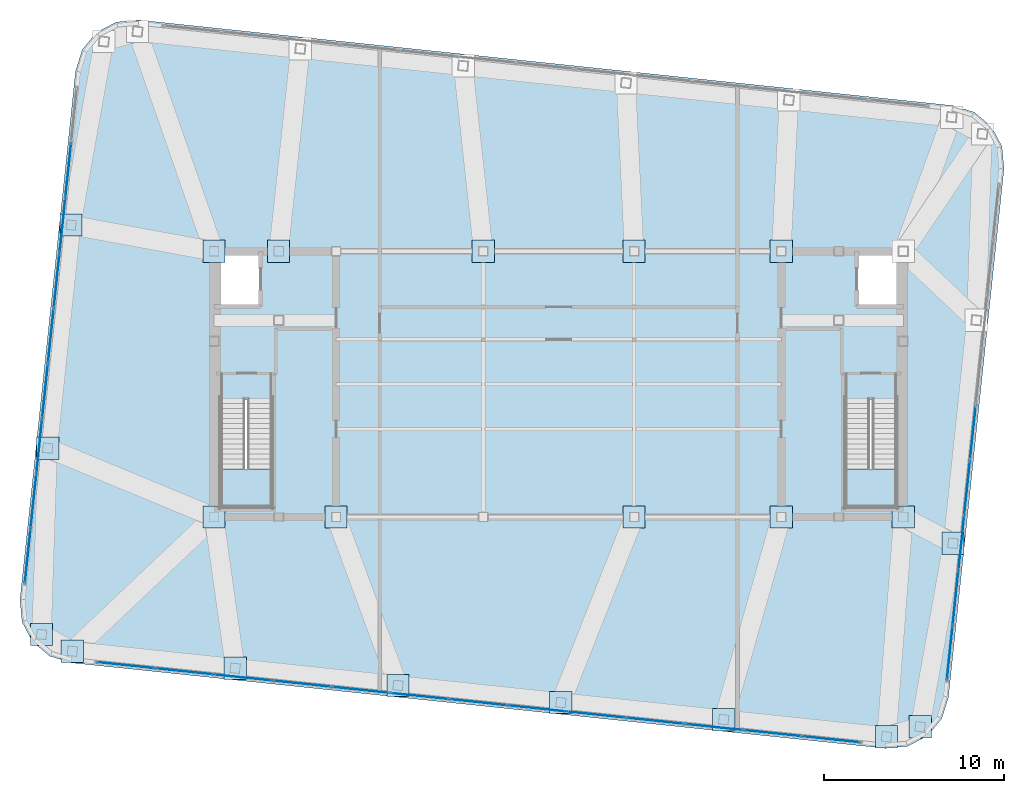
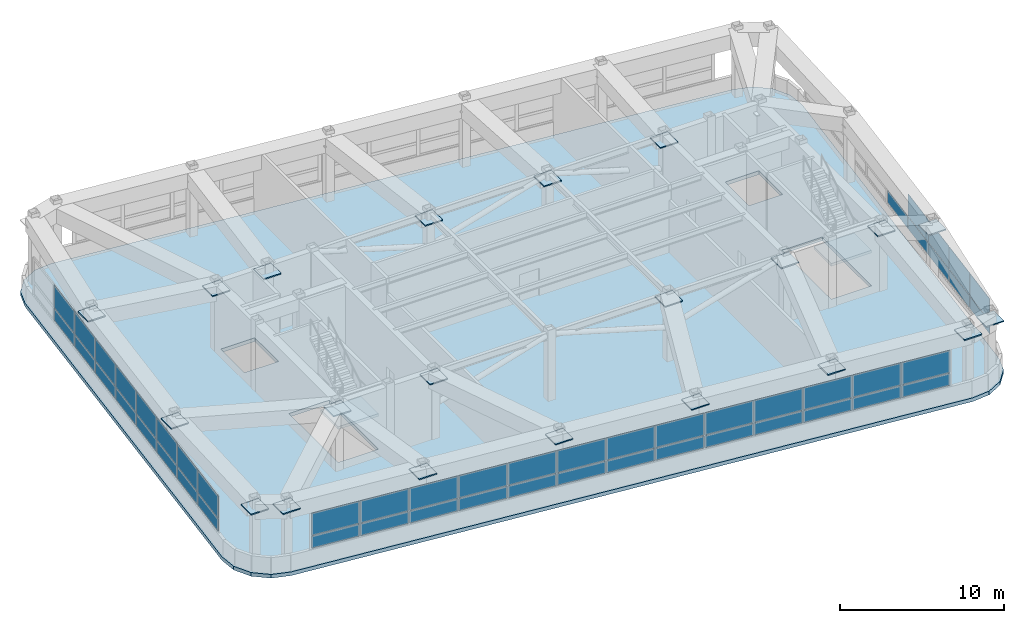
# One storey, part 18 of 23: 72 plates, 3 slabs, 5 elements without a shape of their own.
"""IFC4 building model written with IfcOpenShell, lengths in metres."""

from ifc_helpers import new_model, si_unit, direction, frame, origin, origin_2d, place, context, subcontext, project, spatial, polyline, rectangle, outline, extrude, material, layer, layer_set, type_object, element, aggregate, save


model = new_model("IFC4")

# Units and contexts
model_context = context("Model", 3, precision=1e-05, world=origin(), true_north=direction((0.0, 1.0)))
body_context = subcontext(model_context, "Body", "Model", "MODEL_VIEW")
ifc_project = project(units=[si_unit("LENGTHUNIT", "METRE"), si_unit("AREAUNIT", "SQUARE_METRE"), si_unit("VOLUMEUNIT", "CUBIC_METRE"), si_unit("PLANEANGLEUNIT", "RADIAN"), si_unit("MASSUNIT", "GRAM", prefix="KILO")], contexts=[model_context])

# Site, building, storey
site_placement = place(None, origin())
site = spatial("IfcSite", under=ifc_project, at=site_placement, CompositionType="ELEMENT")
building_placement = place(site_placement, origin())
building = spatial("IfcBuilding", under=site, at=building_placement, Name="Voryun Gate Residences", CompositionType="ELEMENT")
storey_placement = place(building_placement, frame((0.0, 0.0, 316.0)))
storey = spatial("IfcBuildingStorey", under=building, at=storey_placement, Name="L78", CompositionType="ELEMENT", Elevation=316.0)

# Plates
ifc_material_1 = material(Name="Steel SM355", Category="steel")
ifc_layer_1 = layer(ifc_material_1, 0.02490234375, Name="PLT_END_CAP_25")
ifc_layer_set_1 = layer_set([ifc_layer_1], Name="Steel SM355")
plate_type_1 = type_object("IfcPlateType", Name="PLT_END_CAP_25", PredefinedType="USERDEFINED", material=ifc_layer_set_1)
for number, where, z_axis, x_axis, name in (
    (1, (-27.088623046875, -14.87158203125, 4.43505859375), (0.0, 0.0, 1.0), (1.0, 0.0, 0.0), "L78 Hollow Member End-Cap Plate EC-952"),
    (2, (-18.0185546875, -15.824951171875, 4.43505859375), (0.0, 0.0, 1.0), (1.0, 0.0, 0.0), "L78 Hollow Member End-Cap Plate EC-953"),
    (3, (-8.948486328125, -16.7783203125, 4.43505859375), (0.0, 0.0, 1.0), (1.0, 0.0, 0.0), "L78 Hollow Member End-Cap Plate EC-954"),
    (4, (0.12158203125, -17.731689453125, 4.43505859375), (0.0, 0.0, 1.0), (1.0, 0.0, 0.0), "L78 Hollow Member End-Cap Plate EC-955"),
    (5, (9.19140625, -18.684814453125, 4.43505859375), (0.0, 0.0, 1.0), (1.0, 0.0, 0.0), "L78 Hollow Member End-Cap Plate EC-956"),
    (6, (18.261474609375, -19.63818359375, 4.43505859375), (0.0, 0.0, 1.0), (1.0, 0.0, 0.0), "L78 Hollow Member End-Cap Plate EC-957"),
    (7, (20.1328125, -19.083984375, 4.43505859375), (0.0, 0.0, 1.0), (1.0, 0.0, 0.0), "L78 Hollow Member End-Cap Plate EC-958"),
    (8, (21.958251953125, -8.861572265625, 4.43505859375), (0.0, 0.0, 1.0), (1.0, 0.0, 0.0), "L78 Hollow Member End-Cap Plate EC-959"),
    (9, (-27.158203125, 8.861572265625, 4.43505859375), (0.0, 0.0, 1.0), (1.0, 0.0, 0.0), "L78 Hollow Member End-Cap Plate EC-969"),
    (10, (-28.464111328125, -3.56201171875, 4.43505859375), (0.0, 0.0, 1.0), (1.0, 0.0, 0.0), "L78 Hollow Member End-Cap Plate EC-970"),
    (11, (-28.8037109375, -13.9404296875, 4.43505859375), (0.0, 0.0, 1.0), (1.0, 0.0, 0.0), "L78 Hollow Member End-Cap Plate EC-971"),
    (12, (-19.199951171875, -7.39990234375, 4.43505859375), (0.0, 0.0, 1.0), (1.0, 0.0, 0.0), "L78 Hollow Member End-Cap Plate EC-972"),
    (13, (-12.39990234375, -7.39990234375, 4.43505859375), (0.0, 0.0, 1.0), (1.0, 0.0, 0.0), "L78 Hollow Member End-Cap Plate EC-973"),
    (14, (4.199951171875, -7.39990234375, 4.43505859375), (0.0, 0.0, 1.0), (1.0, 0.0, 0.0), "L78 Hollow Member End-Cap Plate EC-974"),
    (15, (12.39990234375, -7.39990234375, 4.43505859375), (0.0, 0.0, 1.0), (1.0, 0.0, 0.0), "L78 Hollow Member End-Cap Plate EC-975"),
    (16, (19.199951171875, -7.39990234375, 4.43505859375), (0.0, 0.0, 1.0), (1.0, 0.0, 0.0), "L78 Hollow Member End-Cap Plate EC-976"),
    (17, (12.39990234375, 7.39990234375, 4.43505859375), (0.0, 0.0, 1.0), (1.0, 0.0, 0.0), "L78 Hollow Member End-Cap Plate EC-978"),
    (18, (4.199951171875, 7.39990234375, 4.43505859375), (0.0, 0.0, 1.0), (1.0, 0.0, 0.0), "L78 Hollow Member End-Cap Plate EC-979"),
    (19, (-4.199951171875, 7.39990234375, 4.43505859375), (0.0, 0.0, 1.0), (1.0, 0.0, 0.0), "L78 Hollow Member End-Cap Plate EC-980"),
    (20, (-15.60009765625, 7.39990234375, 4.43505859375), (0.0, 0.0, 1.0), (1.0, 0.0, 0.0), "L78 Hollow Member End-Cap Plate EC-981"),
    (21, (-19.199951171875, 7.39990234375, 4.43505859375), (0.0, 0.0, 1.0), (1.0, 0.0, 0.0), "L78 Hollow Member End-Cap Plate EC-982"),
):
    element("IfcPlate", number, at=place(storey_placement, frame(where, z_axis=z_axis, x_axis=x_axis)), inside=storey, type_object=plate_type_1, Name=name, ObjectType="BASE_PLATE", PredefinedType="USERDEFINED", context=body_context, shape_type="SweptSolid", body=[
        extrude(rectangle(XDim=1.239990234375, YDim=1.239990234375, at=origin_2d()), origin(), (0.0, 0.0, 1.0), 0.080078125),
    ])

# Curtain wall, plates
ifc_material_2 = material(Name="Anodised aluminium", Category="aluminium")
ifc_layer_2 = layer(ifc_material_2, 0.22998046875, Name="CW_SYS_LANTERN_DARK_GLASS")
ifc_layer_set_2 = layer_set([ifc_layer_2], Name="Anodised aluminium")
curtain_wall_type = type_object("IfcCurtainWallType", Name="CW_SYS_LANTERN_DARK_GLASS", PredefinedType="NOTDEFINED", material=ifc_layer_set_2)
curtain_wall_1_placement = place(storey_placement, origin())
curtain_wall_1 = element("IfcCurtainWall", 22, at=curtain_wall_1_placement, inside=storey, type_object=curtain_wall_type, Name="Curtain wall CW6-L78-01", PredefinedType="NOTDEFINED")
ifc_material_3 = material(Name="Fritted lantern glass", Category="glass")
ifc_layer_3 = layer(ifc_material_3, 0.050048828125, Name="PLT_GLASS_FRIT_LANTERN")
ifc_layer_set_3 = layer_set([ifc_layer_3], Name="Fritted lantern glass")
plate_type_2 = type_object("IfcPlateType", Name="PLT_GLASS_FRIT_LANTERN", PredefinedType="CURTAIN_PANEL", material=ifc_layer_set_3)
plate_1_placement = place(storey_placement, frame((15.18212890625, -19.787109375, 1.25), z_axis=(0.0, 0.0, 1.0), x_axis=(-0.994521969434, 0.10452775858, 0.0)))
plate_1 = element("IfcPlate", 23, at=plate_1_placement, type_object=plate_type_2, Name="CW6 panel 1.1", PredefinedType="CURTAIN_PANEL", context=body_context, shape_type="SweptSolid", body=[
    extrude(rectangle(XDim=3.20458984375, YDim=0.028076171875, at=origin_2d()), origin(), (0.0, 0.0, 1.0), 0.89111328125),
])
plate_2_placement = place(storey_placement, frame((15.18212890625, -19.787109375, 2.201171875), z_axis=(0.0, 0.0, 1.0), x_axis=(-0.994521969434, 0.10452775858, 0.0)))
plate_2 = element("IfcPlate", 24, at=plate_2_placement, type_object=plate_type_2, Name="CW6 panel 1.2", PredefinedType="CURTAIN_PANEL", context=body_context, shape_type="SweptSolid", body=[
    extrude(rectangle(XDim=3.20458984375, YDim=0.028076171875, at=origin_2d()), origin(), (0.0, 0.0, 1.0), 1.654052734375),
])
plate_3_placement = place(storey_placement, frame((11.92041015625, -19.4443359375, 1.25), z_axis=(0.0, 0.0, 1.0), x_axis=(-0.994521969434, 0.10452775858, 0.0)))
plate_3 = element("IfcPlate", 25, at=plate_3_placement, type_object=plate_type_2, Name="CW6 panel 2.1", PredefinedType="CURTAIN_PANEL", context=body_context, shape_type="SweptSolid", body=[
    extrude(rectangle(XDim=3.234619140625, YDim=0.028076171875, at=origin_2d()), origin(), (0.0, 0.0, 1.0), 0.89111328125),
])
plate_4_placement = place(storey_placement, frame((11.92041015625, -19.4443359375, 2.201171875), z_axis=(0.0, 0.0, 1.0), x_axis=(-0.994521969434, 0.10452775858, 0.0)))
plate_4 = element("IfcPlate", 26, at=plate_4_placement, type_object=plate_type_2, Name="CW6 panel 2.2", PredefinedType="CURTAIN_PANEL", context=body_context, shape_type="SweptSolid", body=[
    extrude(rectangle(XDim=3.234619140625, YDim=0.028076171875, at=origin_2d()), origin(), (0.0, 0.0, 1.0), 1.654052734375),
])
plate_5_placement = place(storey_placement, frame((8.643798828125, -19.099853515625, 1.25), z_axis=(0.0, 0.0, 1.0), x_axis=(-0.994521969434, 0.10452775858, 0.0)))
plate_5 = element("IfcPlate", 27, at=plate_5_placement, type_object=plate_type_2, Name="CW6 panel 3.1", PredefinedType="CURTAIN_PANEL", context=body_context, shape_type="SweptSolid", body=[
    extrude(rectangle(XDim=3.234619140625, YDim=0.028076171875, at=origin_2d()), origin(), (0.0, 0.0, 1.0), 0.89111328125),
])
plate_6_placement = place(storey_placement, frame((8.643798828125, -19.099853515625, 2.201171875), z_axis=(0.0, 0.0, 1.0), x_axis=(-0.994521969434, 0.10452775858, 0.0)))
plate_6 = element("IfcPlate", 28, at=plate_6_placement, type_object=plate_type_2, Name="CW6 panel 3.2", PredefinedType="CURTAIN_PANEL", context=body_context, shape_type="SweptSolid", body=[
    extrude(rectangle(XDim=3.234619140625, YDim=0.028076171875, at=origin_2d()), origin(), (0.0, 0.0, 1.0), 1.654052734375),
])
plate_7_placement = place(storey_placement, frame((5.3671875, -18.755615234375, 1.25), z_axis=(0.0, 0.0, 1.0), x_axis=(-0.994521969434, 0.10452775858, 0.0)))
plate_7 = element("IfcPlate", 29, at=plate_7_placement, type_object=plate_type_2, Name="CW6 panel 4.1", PredefinedType="CURTAIN_PANEL", context=body_context, shape_type="SweptSolid", body=[
    extrude(rectangle(XDim=3.234619140625, YDim=0.028076171875, at=origin_2d()), origin(), (0.0, 0.0, 1.0), 0.89111328125),
])
plate_8_placement = place(storey_placement, frame((5.3671875, -18.755615234375, 2.201171875), z_axis=(0.0, 0.0, 1.0), x_axis=(-0.994521969434, 0.10452775858, 0.0)))
plate_8 = element("IfcPlate", 30, at=plate_8_placement, type_object=plate_type_2, Name="CW6 panel 4.2", PredefinedType="CURTAIN_PANEL", context=body_context, shape_type="SweptSolid", body=[
    extrude(rectangle(XDim=3.234619140625, YDim=0.028076171875, at=origin_2d()), origin(), (0.0, 0.0, 1.0), 1.654052734375),
])
plate_9_placement = place(storey_placement, frame((2.090576171875, -18.4111328125, 1.25), z_axis=(0.0, 0.0, 1.0), x_axis=(-0.994521969434, 0.10452775858, 0.0)))
plate_9 = element("IfcPlate", 31, at=plate_9_placement, type_object=plate_type_2, Name="CW6 panel 5.1", PredefinedType="CURTAIN_PANEL", context=body_context, shape_type="SweptSolid", body=[
    extrude(rectangle(XDim=3.234619140625, YDim=0.028076171875, at=origin_2d()), origin(), (0.0, 0.0, 1.0), 0.89111328125),
])
plate_10_placement = place(storey_placement, frame((2.090576171875, -18.4111328125, 2.201171875), z_axis=(0.0, 0.0, 1.0), x_axis=(-0.994521969434, 0.10452775858, 0.0)))
plate_10 = element("IfcPlate", 32, at=plate_10_placement, type_object=plate_type_2, Name="CW6 panel 5.2", PredefinedType="CURTAIN_PANEL", context=body_context, shape_type="SweptSolid", body=[
    extrude(rectangle(XDim=3.234619140625, YDim=0.028076171875, at=origin_2d()), origin(), (0.0, 0.0, 1.0), 1.654052734375),
])
plate_11_placement = place(storey_placement, frame((-1.18603515625, -18.06689453125, 1.25), z_axis=(0.0, 0.0, 1.0), x_axis=(-0.994521969434, 0.10452775858, 0.0)))
plate_11 = element("IfcPlate", 33, at=plate_11_placement, type_object=plate_type_2, Name="CW6 panel 6.1", PredefinedType="CURTAIN_PANEL", context=body_context, shape_type="SweptSolid", body=[
    extrude(rectangle(XDim=3.234619140625, YDim=0.028076171875, at=origin_2d()), origin(), (0.0, 0.0, 1.0), 0.89111328125),
])
plate_12_placement = place(storey_placement, frame((-1.18603515625, -18.06689453125, 2.201171875), z_axis=(0.0, 0.0, 1.0), x_axis=(-0.994521969434, 0.10452775858, 0.0)))
plate_12 = element("IfcPlate", 34, at=plate_12_placement, type_object=plate_type_2, Name="CW6 panel 6.2", PredefinedType="CURTAIN_PANEL", context=body_context, shape_type="SweptSolid", body=[
    extrude(rectangle(XDim=3.234619140625, YDim=0.028076171875, at=origin_2d()), origin(), (0.0, 0.0, 1.0), 1.654052734375),
])
plate_13_placement = place(storey_placement, frame((-4.462646484375, -17.722412109375, 1.25), z_axis=(0.0, 0.0, 1.0), x_axis=(-0.994521969434, 0.10452775858, 0.0)))
plate_13 = element("IfcPlate", 35, at=plate_13_placement, type_object=plate_type_2, Name="CW6 panel 7.1", PredefinedType="CURTAIN_PANEL", context=body_context, shape_type="SweptSolid", body=[
    extrude(rectangle(XDim=3.234619140625, YDim=0.028076171875, at=origin_2d()), origin(), (0.0, 0.0, 1.0), 0.89111328125),
])
plate_14_placement = place(storey_placement, frame((-4.462646484375, -17.722412109375, 2.201171875), z_axis=(0.0, 0.0, 1.0), x_axis=(-0.994521969434, 0.10452775858, 0.0)))
plate_14 = element("IfcPlate", 36, at=plate_14_placement, type_object=plate_type_2, Name="CW6 panel 7.2", PredefinedType="CURTAIN_PANEL", context=body_context, shape_type="SweptSolid", body=[
    extrude(rectangle(XDim=3.234619140625, YDim=0.028076171875, at=origin_2d()), origin(), (0.0, 0.0, 1.0), 1.654052734375),
])
plate_15_placement = place(storey_placement, frame((-7.7392578125, -17.3779296875, 1.25), z_axis=(0.0, 0.0, 1.0), x_axis=(-0.994521969434, 0.10452775858, 0.0)))
plate_15 = element("IfcPlate", 37, at=plate_15_placement, type_object=plate_type_2, Name="CW6 panel 8.1", PredefinedType="CURTAIN_PANEL", context=body_context, shape_type="SweptSolid", body=[
    extrude(rectangle(XDim=3.234619140625, YDim=0.028076171875, at=origin_2d()), origin(), (0.0, 0.0, 1.0), 0.89111328125),
])
plate_16_placement = place(storey_placement, frame((-7.7392578125, -17.3779296875, 2.201171875), z_axis=(0.0, 0.0, 1.0), x_axis=(-0.994521969434, 0.10452775858, 0.0)))
plate_16 = element("IfcPlate", 38, at=plate_16_placement, type_object=plate_type_2, Name="CW6 panel 8.2", PredefinedType="CURTAIN_PANEL", context=body_context, shape_type="SweptSolid", body=[
    extrude(rectangle(XDim=3.234619140625, YDim=0.028076171875, at=origin_2d()), origin(), (0.0, 0.0, 1.0), 1.654052734375),
])
plate_17_placement = place(storey_placement, frame((-11.015869140625, -17.03369140625, 1.25), z_axis=(0.0, 0.0, 1.0), x_axis=(-0.994521969434, 0.10452775858, 0.0)))
plate_17 = element("IfcPlate", 39, at=plate_17_placement, type_object=plate_type_2, Name="CW6 panel 9.1", PredefinedType="CURTAIN_PANEL", context=body_context, shape_type="SweptSolid", body=[
    extrude(rectangle(XDim=3.234619140625, YDim=0.028076171875, at=origin_2d()), origin(), (0.0, 0.0, 1.0), 0.89111328125),
])
plate_18_placement = place(storey_placement, frame((-11.015869140625, -17.03369140625, 2.201171875), z_axis=(0.0, 0.0, 1.0), x_axis=(-0.994521969434, 0.10452775858, 0.0)))
plate_18 = element("IfcPlate", 40, at=plate_18_placement, type_object=plate_type_2, Name="CW6 panel 9.2", PredefinedType="CURTAIN_PANEL", context=body_context, shape_type="SweptSolid", body=[
    extrude(rectangle(XDim=3.234619140625, YDim=0.028076171875, at=origin_2d()), origin(), (0.0, 0.0, 1.0), 1.654052734375),
])
plate_19_placement = place(storey_placement, frame((-14.29248046875, -16.689208984375, 1.25), z_axis=(0.0, 0.0, 1.0), x_axis=(-0.994521969434, 0.10452775858, 0.0)))
plate_19 = element("IfcPlate", 41, at=plate_19_placement, type_object=plate_type_2, Name="CW6 panel 10.1", PredefinedType="CURTAIN_PANEL", context=body_context, shape_type="SweptSolid", body=[
    extrude(rectangle(XDim=3.234619140625, YDim=0.028076171875, at=origin_2d()), origin(), (0.0, 0.0, 1.0), 0.89111328125),
])
plate_20_placement = place(storey_placement, frame((-14.29248046875, -16.689208984375, 2.201171875), z_axis=(0.0, 0.0, 1.0), x_axis=(-0.994521969434, 0.10452775858, 0.0)))
plate_20 = element("IfcPlate", 42, at=plate_20_placement, type_object=plate_type_2, Name="CW6 panel 10.2", PredefinedType="CURTAIN_PANEL", context=body_context, shape_type="SweptSolid", body=[
    extrude(rectangle(XDim=3.234619140625, YDim=0.028076171875, at=origin_2d()), origin(), (0.0, 0.0, 1.0), 1.654052734375),
])
plate_21_placement = place(storey_placement, frame((-17.569091796875, -16.344970703125, 1.25), z_axis=(0.0, 0.0, 1.0), x_axis=(-0.994521969434, 0.10452775858, 0.0)))
plate_21 = element("IfcPlate", 43, at=plate_21_placement, type_object=plate_type_2, Name="CW6 panel 11.1", PredefinedType="CURTAIN_PANEL", context=body_context, shape_type="SweptSolid", body=[
    extrude(rectangle(XDim=3.234619140625, YDim=0.028076171875, at=origin_2d()), origin(), (0.0, 0.0, 1.0), 0.89111328125),
])
plate_22_placement = place(storey_placement, frame((-17.569091796875, -16.344970703125, 2.201171875), z_axis=(0.0, 0.0, 1.0), x_axis=(-0.994521969434, 0.10452775858, 0.0)))
plate_22 = element("IfcPlate", 44, at=plate_22_placement, type_object=plate_type_2, Name="CW6 panel 11.2", PredefinedType="CURTAIN_PANEL", context=body_context, shape_type="SweptSolid", body=[
    extrude(rectangle(XDim=3.234619140625, YDim=0.028076171875, at=origin_2d()), origin(), (0.0, 0.0, 1.0), 1.654052734375),
])
plate_23_placement = place(storey_placement, frame((-20.845703125, -16.00048828125, 1.25), z_axis=(0.0, 0.0, 1.0), x_axis=(-0.994521969434, 0.10452775858, 0.0)))
plate_23 = element("IfcPlate", 45, at=plate_23_placement, type_object=plate_type_2, Name="CW6 panel 12.1", PredefinedType="CURTAIN_PANEL", context=body_context, shape_type="SweptSolid", body=[
    extrude(rectangle(XDim=3.234619140625, YDim=0.028076171875, at=origin_2d()), origin(), (0.0, 0.0, 1.0), 0.89111328125),
])
plate_24_placement = place(storey_placement, frame((-20.845703125, -16.00048828125, 2.201171875), z_axis=(0.0, 0.0, 1.0), x_axis=(-0.994521969434, 0.10452775858, 0.0)))
plate_24 = element("IfcPlate", 46, at=plate_24_placement, type_object=plate_type_2, Name="CW6 panel 12.2", PredefinedType="CURTAIN_PANEL", context=body_context, shape_type="SweptSolid", body=[
    extrude(rectangle(XDim=3.234619140625, YDim=0.028076171875, at=origin_2d()), origin(), (0.0, 0.0, 1.0), 1.654052734375),
])
plate_25_placement = place(storey_placement, frame((-24.107421875, -15.65771484375, 1.25), z_axis=(0.0, 0.0, 1.0), x_axis=(-0.994521969434, 0.10452775858, 0.0)))
plate_25 = element("IfcPlate", 47, at=plate_25_placement, type_object=plate_type_2, Name="CW6 panel 13.1", PredefinedType="CURTAIN_PANEL", context=body_context, shape_type="SweptSolid", body=[
    extrude(rectangle(XDim=3.20458984375, YDim=0.028076171875, at=origin_2d()), origin(), (0.0, 0.0, 1.0), 0.89111328125),
])
plate_26_placement = place(storey_placement, frame((-24.107421875, -15.65771484375, 2.201171875), z_axis=(0.0, 0.0, 1.0), x_axis=(-0.994521969434, 0.10452775858, 0.0)))
plate_26 = element("IfcPlate", 48, at=plate_26_placement, type_object=plate_type_2, Name="CW6 panel 13.2", PredefinedType="CURTAIN_PANEL", context=body_context, shape_type="SweptSolid", body=[
    extrude(rectangle(XDim=3.20458984375, YDim=0.028076171875, at=origin_2d()), origin(), (0.0, 0.0, 1.0), 1.654052734375),
])
aggregate(curtain_wall_1, [plate_1, plate_2, plate_3, plate_4, plate_5, plate_6, plate_7, plate_8, plate_9, plate_10, plate_11, plate_12, plate_13, plate_14, plate_15, plate_16, plate_17, plate_18, plate_19, plate_20, plate_21, plate_22, plate_23, plate_24, plate_25, plate_26])

curtain_wall_2_placement = place(storey_placement, origin())
curtain_wall_2 = element("IfcCurtainWall", 49, at=curtain_wall_2_placement, inside=storey, type_object=curtain_wall_type, Name="Curtain wall CW6-L78-06", PredefinedType="NOTDEFINED")
plate_27_placement = place(storey_placement, frame((-29.568115234375, -9.56982421875, 1.25), z_axis=(0.0, 0.0, 1.0), x_axis=(0.104528004296, 0.994521943608, 0.0)))
plate_27 = element("IfcPlate", 50, at=plate_27_placement, type_object=plate_type_2, Name="CW6 panel 1.1", PredefinedType="CURTAIN_PANEL", context=body_context, shape_type="SweptSolid", body=[
    extrude(rectangle(XDim=2.997802734375, YDim=0.028076171875, at=origin_2d()), origin(), (0.0, 0.0, 1.0), 0.89111328125),
])
plate_28_placement = place(storey_placement, frame((-29.568115234375, -9.56982421875, 2.201171875), z_axis=(0.0, 0.0, 1.0), x_axis=(0.104528004296, 0.994521943608, 0.0)))
plate_28 = element("IfcPlate", 51, at=plate_28_placement, type_object=plate_type_2, Name="CW6 panel 1.2", PredefinedType="CURTAIN_PANEL", context=body_context, shape_type="SweptSolid", body=[
    extrude(rectangle(XDim=2.997802734375, YDim=0.028076171875, at=origin_2d()), origin(), (0.0, 0.0, 1.0), 1.654052734375),
])
plate_29_placement = place(storey_placement, frame((-29.246826171875, -6.513916015625, 1.25), z_axis=(0.0, 0.0, 1.0), x_axis=(0.104528004296, 0.994521943608, 0.0)))
plate_29 = element("IfcPlate", 52, at=plate_29_placement, type_object=plate_type_2, Name="CW6 panel 2.1", PredefinedType="CURTAIN_PANEL", context=body_context, shape_type="SweptSolid", body=[
    extrude(rectangle(XDim=3.02783203125, YDim=0.028076171875, at=origin_2d()), origin(), (0.0, 0.0, 1.0), 0.89111328125),
])
plate_30_placement = place(storey_placement, frame((-29.246826171875, -6.513916015625, 2.201171875), z_axis=(0.0, 0.0, 1.0), x_axis=(0.104528004296, 0.994521943608, 0.0)))
plate_30 = element("IfcPlate", 53, at=plate_30_placement, type_object=plate_type_2, Name="CW6 panel 2.2", PredefinedType="CURTAIN_PANEL", context=body_context, shape_type="SweptSolid", body=[
    extrude(rectangle(XDim=3.02783203125, YDim=0.028076171875, at=origin_2d()), origin(), (0.0, 0.0, 1.0), 1.654052734375),
])
plate_31_placement = place(storey_placement, frame((-28.924072265625, -3.44287109375, 1.25), z_axis=(0.0, 0.0, 1.0), x_axis=(0.104528004296, 0.994521943608, 0.0)))
plate_31 = element("IfcPlate", 54, at=plate_31_placement, type_object=plate_type_2, Name="CW6 panel 3.1", PredefinedType="CURTAIN_PANEL", context=body_context, shape_type="SweptSolid", body=[
    extrude(rectangle(XDim=3.02783203125, YDim=0.028076171875, at=origin_2d()), origin(), (0.0, 0.0, 1.0), 0.89111328125),
])
plate_32_placement = place(storey_placement, frame((-28.924072265625, -3.44287109375, 2.201171875), z_axis=(0.0, 0.0, 1.0), x_axis=(0.104528004296, 0.994521943608, 0.0)))
plate_32 = element("IfcPlate", 55, at=plate_32_placement, type_object=plate_type_2, Name="CW6 panel 3.2", PredefinedType="CURTAIN_PANEL", context=body_context, shape_type="SweptSolid", body=[
    extrude(rectangle(XDim=3.02783203125, YDim=0.028076171875, at=origin_2d()), origin(), (0.0, 0.0, 1.0), 1.654052734375),
])
plate_33_placement = place(storey_placement, frame((-28.601318359375, -0.3720703125, 1.25), z_axis=(0.0, 0.0, 1.0), x_axis=(0.104528004296, 0.994521943608, 0.0)))
plate_33 = element("IfcPlate", 56, at=plate_33_placement, type_object=plate_type_2, Name="CW6 panel 4.1", PredefinedType="CURTAIN_PANEL", context=body_context, shape_type="SweptSolid", body=[
    extrude(rectangle(XDim=3.02783203125, YDim=0.028076171875, at=origin_2d()), origin(), (0.0, 0.0, 1.0), 0.89111328125),
])
plate_34_placement = place(storey_placement, frame((-28.601318359375, -0.3720703125, 2.201171875), z_axis=(0.0, 0.0, 1.0), x_axis=(0.104528004296, 0.994521943608, 0.0)))
plate_34 = element("IfcPlate", 57, at=plate_34_placement, type_object=plate_type_2, Name="CW6 panel 4.2", PredefinedType="CURTAIN_PANEL", context=body_context, shape_type="SweptSolid", body=[
    extrude(rectangle(XDim=3.02783203125, YDim=0.028076171875, at=origin_2d()), origin(), (0.0, 0.0, 1.0), 1.654052734375),
])
plate_35_placement = place(storey_placement, frame((-28.278564453125, 2.698974609375, 1.25), z_axis=(0.0, 0.0, 1.0), x_axis=(0.104528004296, 0.994521943608, 0.0)))
plate_35 = element("IfcPlate", 58, at=plate_35_placement, type_object=plate_type_2, Name="CW6 panel 5.1", PredefinedType="CURTAIN_PANEL", context=body_context, shape_type="SweptSolid", body=[
    extrude(rectangle(XDim=3.02783203125, YDim=0.028076171875, at=origin_2d()), origin(), (0.0, 0.0, 1.0), 0.89111328125),
])
plate_36_placement = place(storey_placement, frame((-28.278564453125, 2.698974609375, 2.201171875), z_axis=(0.0, 0.0, 1.0), x_axis=(0.104528004296, 0.994521943608, 0.0)))
plate_36 = element("IfcPlate", 59, at=plate_36_placement, type_object=plate_type_2, Name="CW6 panel 5.2", PredefinedType="CURTAIN_PANEL", context=body_context, shape_type="SweptSolid", body=[
    extrude(rectangle(XDim=3.02783203125, YDim=0.028076171875, at=origin_2d()), origin(), (0.0, 0.0, 1.0), 1.654052734375),
])
plate_37_placement = place(storey_placement, frame((-27.955810546875, 5.769775390625, 1.25), z_axis=(0.0, 0.0, 1.0), x_axis=(0.104528004296, 0.994521943608, 0.0)))
plate_37 = element("IfcPlate", 60, at=plate_37_placement, type_object=plate_type_2, Name="CW6 panel 6.1", PredefinedType="CURTAIN_PANEL", context=body_context, shape_type="SweptSolid", body=[
    extrude(rectangle(XDim=3.02783203125, YDim=0.028076171875, at=origin_2d()), origin(), (0.0, 0.0, 1.0), 0.89111328125),
])
plate_38_placement = place(storey_placement, frame((-27.955810546875, 5.769775390625, 2.201171875), z_axis=(0.0, 0.0, 1.0), x_axis=(0.104528004296, 0.994521943608, 0.0)))
plate_38 = element("IfcPlate", 61, at=plate_38_placement, type_object=plate_type_2, Name="CW6 panel 6.2", PredefinedType="CURTAIN_PANEL", context=body_context, shape_type="SweptSolid", body=[
    extrude(rectangle(XDim=3.02783203125, YDim=0.028076171875, at=origin_2d()), origin(), (0.0, 0.0, 1.0), 1.654052734375),
])
plate_39_placement = place(storey_placement, frame((-27.633056640625, 8.8408203125, 1.25), z_axis=(0.0, 0.0, 1.0), x_axis=(0.104528004296, 0.994521943608, 0.0)))
plate_39 = element("IfcPlate", 62, at=plate_39_placement, type_object=plate_type_2, Name="CW6 panel 7.1", PredefinedType="CURTAIN_PANEL", context=body_context, shape_type="SweptSolid", body=[
    extrude(rectangle(XDim=3.02783203125, YDim=0.028076171875, at=origin_2d()), origin(), (0.0, 0.0, 1.0), 0.89111328125),
])
plate_40_placement = place(storey_placement, frame((-27.633056640625, 8.8408203125, 2.201171875), z_axis=(0.0, 0.0, 1.0), x_axis=(0.104528004296, 0.994521943608, 0.0)))
plate_40 = element("IfcPlate", 63, at=plate_40_placement, type_object=plate_type_2, Name="CW6 panel 7.2", PredefinedType="CURTAIN_PANEL", context=body_context, shape_type="SweptSolid", body=[
    extrude(rectangle(XDim=3.02783203125, YDim=0.028076171875, at=origin_2d()), origin(), (0.0, 0.0, 1.0), 1.654052734375),
])
plate_41_placement = place(storey_placement, frame((-27.310302734375, 11.91162109375, 1.25), z_axis=(0.0, 0.0, 1.0), x_axis=(0.104528004296, 0.994521943608, 0.0)))
plate_41 = element("IfcPlate", 64, at=plate_41_placement, type_object=plate_type_2, Name="CW6 panel 8.1", PredefinedType="CURTAIN_PANEL", context=body_context, shape_type="SweptSolid", body=[
    extrude(rectangle(XDim=3.02783203125, YDim=0.028076171875, at=origin_2d()), origin(), (0.0, 0.0, 1.0), 0.89111328125),
])
plate_42_placement = place(storey_placement, frame((-27.310302734375, 11.91162109375, 2.201171875), z_axis=(0.0, 0.0, 1.0), x_axis=(0.104528004296, 0.994521943608, 0.0)))
plate_42 = element("IfcPlate", 65, at=plate_42_placement, type_object=plate_type_2, Name="CW6 panel 8.2", PredefinedType="CURTAIN_PANEL", context=body_context, shape_type="SweptSolid", body=[
    extrude(rectangle(XDim=3.02783203125, YDim=0.028076171875, at=origin_2d()), origin(), (0.0, 0.0, 1.0), 1.654052734375),
])
aggregate(curtain_wall_2, [plate_27, plate_28, plate_29, plate_30, plate_31, plate_32, plate_33, plate_34, plate_35, plate_36, plate_37, plate_38, plate_39, plate_40, plate_41, plate_42])

curtain_wall_3_placement = place(storey_placement, origin())
curtain_wall_3 = element("IfcCurtainWall", 66, at=curtain_wall_3_placement, inside=storey, type_object=curtain_wall_type, Name="Curtain wall CW6-L78-16", PredefinedType="NOTDEFINED")
plate_43_placement = place(storey_placement, frame((23.07861328125, -2.698974609375, 1.25), z_axis=(0.0, 0.0, 1.0), x_axis=(-0.104528004296, -0.994521943608, 0.0)))
plate_43 = element("IfcPlate", 67, at=plate_43_placement, type_object=plate_type_2, Name="CW6 panel 5.1", PredefinedType="CURTAIN_PANEL", context=body_context, shape_type="SweptSolid", body=[
    extrude(rectangle(XDim=3.02783203125, YDim=0.028076171875, at=origin_2d()), origin(), (0.0, 0.0, 1.0), 0.89111328125),
])
plate_44_placement = place(storey_placement, frame((22.755859375, -5.769775390625, 1.25), z_axis=(0.0, 0.0, 1.0), x_axis=(-0.104528004296, -0.994521943608, 0.0)))
plate_44 = element("IfcPlate", 68, at=plate_44_placement, type_object=plate_type_2, Name="CW6 panel 6.1", PredefinedType="CURTAIN_PANEL", context=body_context, shape_type="SweptSolid", body=[
    extrude(rectangle(XDim=3.02783203125, YDim=0.028076171875, at=origin_2d()), origin(), (0.0, 0.0, 1.0), 0.89111328125),
])
plate_45_placement = place(storey_placement, frame((22.755859375, -5.769775390625, 2.201171875), z_axis=(0.0, 0.0, 1.0), x_axis=(-0.104528004296, -0.994521943608, 0.0)))
plate_45 = element("IfcPlate", 69, at=plate_45_placement, type_object=plate_type_2, Name="CW6 panel 6.2", PredefinedType="CURTAIN_PANEL", context=body_context, shape_type="SweptSolid", body=[
    extrude(rectangle(XDim=3.02783203125, YDim=0.028076171875, at=origin_2d()), origin(), (0.0, 0.0, 1.0), 1.654052734375),
])
plate_46_placement = place(storey_placement, frame((22.43310546875, -8.8408203125, 1.25), z_axis=(0.0, 0.0, 1.0), x_axis=(-0.104528004296, -0.994521943608, 0.0)))
plate_46 = element("IfcPlate", 70, at=plate_46_placement, type_object=plate_type_2, Name="CW6 panel 7.1", PredefinedType="CURTAIN_PANEL", context=body_context, shape_type="SweptSolid", body=[
    extrude(rectangle(XDim=3.02783203125, YDim=0.028076171875, at=origin_2d()), origin(), (0.0, 0.0, 1.0), 0.89111328125),
])
plate_47_placement = place(storey_placement, frame((22.43310546875, -8.8408203125, 2.201171875), z_axis=(0.0, 0.0, 1.0), x_axis=(-0.104528004296, -0.994521943608, 0.0)))
plate_47 = element("IfcPlate", 71, at=plate_47_placement, type_object=plate_type_2, Name="CW6 panel 7.2", PredefinedType="CURTAIN_PANEL", context=body_context, shape_type="SweptSolid", body=[
    extrude(rectangle(XDim=3.02783203125, YDim=0.028076171875, at=origin_2d()), origin(), (0.0, 0.0, 1.0), 1.654052734375),
])
plate_48_placement = place(storey_placement, frame((22.1103515625, -11.91162109375, 1.25), z_axis=(0.0, 0.0, 1.0), x_axis=(-0.104528004296, -0.994521943608, 0.0)))
plate_48 = element("IfcPlate", 72, at=plate_48_placement, type_object=plate_type_2, Name="CW6 panel 8.1", PredefinedType="CURTAIN_PANEL", context=body_context, shape_type="SweptSolid", body=[
    extrude(rectangle(XDim=3.02783203125, YDim=0.028076171875, at=origin_2d()), origin(), (0.0, 0.0, 1.0), 0.89111328125),
])
plate_49_placement = place(storey_placement, frame((22.1103515625, -11.91162109375, 2.201171875), z_axis=(0.0, 0.0, 1.0), x_axis=(-0.104528004296, -0.994521943608, 0.0)))
plate_49 = element("IfcPlate", 73, at=plate_49_placement, type_object=plate_type_2, Name="CW6 panel 8.2", PredefinedType="CURTAIN_PANEL", context=body_context, shape_type="SweptSolid", body=[
    extrude(rectangle(XDim=3.02783203125, YDim=0.028076171875, at=origin_2d()), origin(), (0.0, 0.0, 1.0), 1.654052734375),
])
plate_50_placement = place(storey_placement, frame((21.7890625, -14.9677734375, 1.25), z_axis=(0.0, 0.0, 1.0), x_axis=(-0.104528004296, -0.994521943608, 0.0)))
plate_50 = element("IfcPlate", 74, at=plate_50_placement, type_object=plate_type_2, Name="CW6 panel 9.1", PredefinedType="CURTAIN_PANEL", context=body_context, shape_type="SweptSolid", body=[
    extrude(rectangle(XDim=2.997802734375, YDim=0.028076171875, at=origin_2d()), origin(), (0.0, 0.0, 1.0), 0.89111328125),
])
plate_51_placement = place(storey_placement, frame((21.7890625, -14.9677734375, 2.201171875), z_axis=(0.0, 0.0, 1.0), x_axis=(-0.104528004296, -0.994521943608, 0.0)))
plate_51 = element("IfcPlate", 75, at=plate_51_placement, type_object=plate_type_2, Name="CW6 panel 9.2", PredefinedType="CURTAIN_PANEL", context=body_context, shape_type="SweptSolid", body=[
    extrude(rectangle(XDim=2.997802734375, YDim=0.028076171875, at=origin_2d()), origin(), (0.0, 0.0, 1.0), 1.654052734375),
])
aggregate(curtain_wall_3, [plate_43, plate_44, plate_45, plate_46, plate_47, plate_48, plate_49, plate_50, plate_51])

# Slab
ifc_material_4 = material(Name="Concrete C50/60", Category="concrete")
ifc_layer_4 = layer(ifc_material_4, 0.27490234375, Name="SLB_CROWN_275")
ifc_layer_set_4 = layer_set([ifc_layer_4], Name="Concrete C50/60")
slab_type_1 = type_object("IfcSlabType", Name="SLB_CROWN_275", PredefinedType="FLOOR", material=ifc_layer_set_4)
slab_1_placement = place(storey_placement, frame((0.0, 0.0, -0.27490234375)))
element("IfcSlab", 76, at=slab_1_placement, inside=storey, type_object=slab_type_1, Name="L78 Structural Floor Slab", PredefinedType="FLOOR", context=body_context, shape_type="SweptSolid", body=[
    extrude(outline(polyline([(-27.156494140625, -15.51806640625), (-28.34912109375, -15.14794921875), (-29.30908203125, -14.349609375), (-29.890380859375, -13.24462890625), (-30.004638671875, -12.001220703125), (-26.91064453125, 17.436767578125), (-26.540283203125, 18.629150390625), (-25.741943359375, 19.589111328125), (-24.636962890625, 20.17041015625), (-23.3935546875, 20.28466796875), (21.95654296875, 15.51806640625), (23.14892578125, 15.14794921875), (24.10888671875, 14.349609375), (24.6904296875, 13.24462890625), (24.8046875, 12.001220703125), (21.71044921875, -17.436767578125), (21.34033203125, -18.629150390625), (20.5419921875, -19.589111328125), (19.43701171875, -20.17041015625), (18.193603515625, -20.28466796875), (-27.156494140625, -15.51806640625)]), holes=[polyline([(-15.97509765625, -0.840087890625), (-18.824951171875, -0.840087890625), (-18.824951171875, -6.85009765625), (-15.97509765625, -6.85009765625), (-15.97509765625, -0.840087890625)]), polyline([(18.824951171875, -0.840087890625), (15.97509765625, -0.840087890625), (15.97509765625, -6.85009765625), (18.824951171875, -6.85009765625), (18.824951171875, -0.840087890625)]), polyline([(-19.0, 7.199951171875), (-19.0, 4.300048828125), (-16.60009765625, 4.300048828125), (-16.60009765625, 7.199951171875), (-19.0, 7.199951171875)]), polyline([(16.60009765625, 7.199951171875), (16.60009765625, 4.300048828125), (19.0, 4.300048828125), (19.0, 7.199951171875), (16.60009765625, 7.199951171875)])]), origin(), (0.0, 0.0, 1.0), 0.27490234375),
])

# Stair, slab
ifc_material_5 = material(Name="Concrete C40/50", Category="concrete")
stair_type = type_object("IfcStairType", Name="STR_CORE_DOGLEG_1350", PredefinedType="HALF_TURN_STAIR", material=ifc_material_5)
stair_1_placement = place(storey_placement, origin())
stair_1 = element("IfcStair", 77, at=stair_1_placement, inside=storey, type_object=stair_type, Name="L78 Special Escape Stair ST-W1", PredefinedType="HALF_TURN_STAIR")
ifc_material_6 = material(Name="Concrete C40/50", Category="concrete")
ifc_layer_5 = layer(ifc_material_6, 0.199951171875, Name="SLB_STAIR_LANDING_200")
ifc_layer_set_5 = layer_set([ifc_layer_5], Name="Concrete C40/50")
slab_type_2 = type_object("IfcSlabType", Name="SLB_STAIR_LANDING_200", PredefinedType="LANDING", material=ifc_layer_set_5)
slab_2_placement = place(storey_placement, frame((0.0, 0.0, 2.449951171875)))
slab_2 = element("IfcSlab", 78, at=slab_2_placement, type_object=slab_type_2, Name="ST-W1 landing 1", PredefinedType="LANDING", context=body_context, shape_type="SweptSolid", body=[
    extrude(outline(polyline([(-18.824951171875, -4.719970703125), (-18.824951171875, -6.85009765625), (-15.97509765625, -6.85009765625), (-15.97509765625, -4.719970703125), (-18.824951171875, -4.719970703125)])), origin(), (0.0, 0.0, 1.0), 0.199951171875),
])
aggregate(stair_1, [slab_2])

stair_2_placement = place(storey_placement, origin())
stair_2 = element("IfcStair", 79, at=stair_2_placement, inside=storey, type_object=stair_type, Name="L78 Special Escape Stair ST-E1", PredefinedType="HALF_TURN_STAIR")
slab_3_placement = place(storey_placement, frame((0.0, 0.0, 2.449951171875)))
slab_3 = element("IfcSlab", 80, at=slab_3_placement, type_object=slab_type_2, Name="ST-E1 landing 1", PredefinedType="LANDING", context=body_context, shape_type="SweptSolid", body=[
    extrude(outline(polyline([(15.97509765625, -4.719970703125), (15.97509765625, -6.85009765625), (18.824951171875, -6.85009765625), (18.824951171875, -4.719970703125), (15.97509765625, -4.719970703125)])), origin(), (0.0, 0.0, 1.0), 0.199951171875),
])
aggregate(stair_2, [slab_3])

save(model, "model.ifc")
